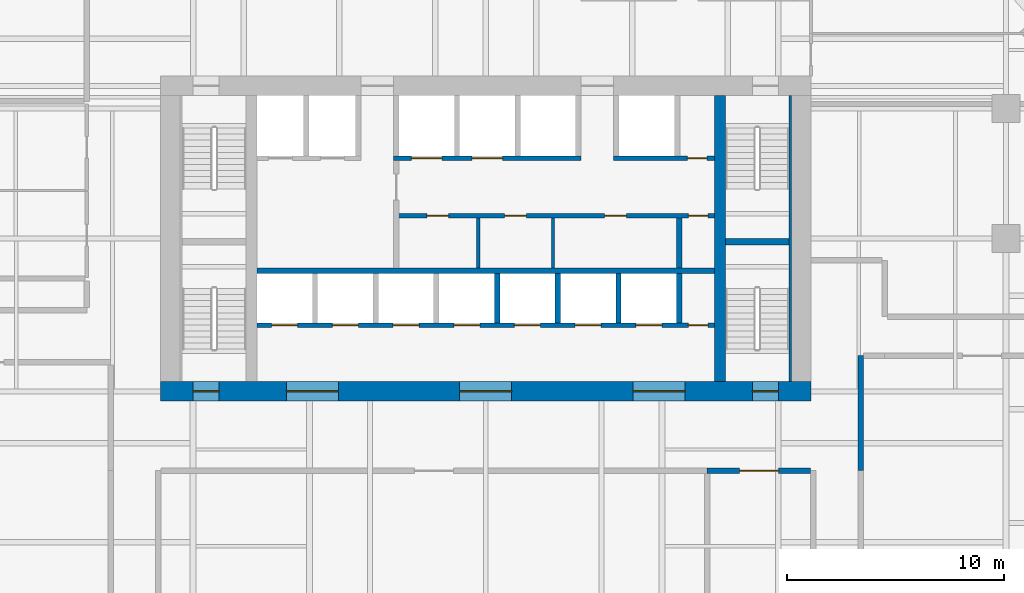
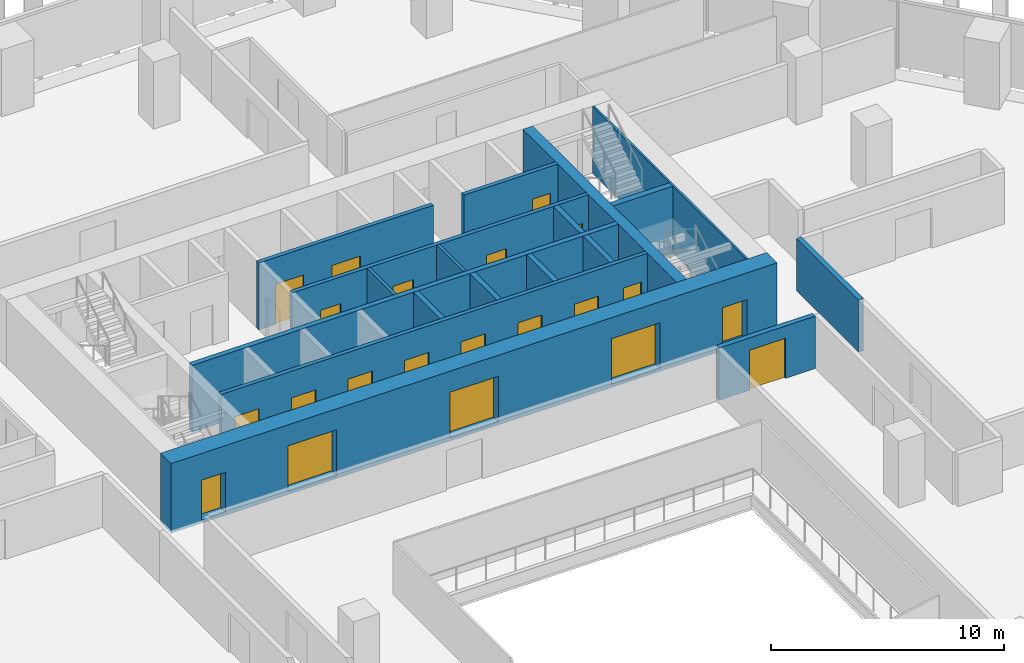
# One storey, part 15 of 24: 21 doors, 18 walls, 21 openings.
"""IFC4 building model written with IfcOpenShell, lengths in metres."""

from ifc_helpers import new_model, si_unit, direction, frame, frame_2d, origin, place, context, subcontext, project, spatial, rectangle, extrude, material, layer, layer_set, type_object, element, fill, save


model = new_model("IFC4")

# Units and contexts
model_context = context("Model", 3, precision=1e-05, world=origin(), true_north=direction((0.0, 1.0)))
body_context = subcontext(model_context, "Body", "Model", "MODEL_VIEW")
ifc_project = project(units=[si_unit("LENGTHUNIT", "METRE"), si_unit("AREAUNIT", "SQUARE_METRE"), si_unit("VOLUMEUNIT", "CUBIC_METRE"), si_unit("PLANEANGLEUNIT", "RADIAN"), si_unit("MASSUNIT", "GRAM", prefix="KILO")], contexts=[model_context])

# Site, building, storey
site_placement = place(None, origin())
site = spatial("IfcSite", under=ifc_project, at=site_placement, CompositionType="ELEMENT")
building_placement = place(site_placement, origin())
building = spatial("IfcBuilding", under=site, at=building_placement, Name="Isthmus Gate Tower", CompositionType="ELEMENT")
storey_placement = place(building_placement, frame((0.0, 0.0, 80.64990234375)))
storey = spatial("IfcBuildingStorey", under=building, at=storey_placement, Name="L18", CompositionType="ELEMENT", Elevation=80.64990234375)

# Wall, opening, door
ifc_material_1 = material(Name="Double-leaf acoustic stud wall, fire-rated", Category="gypsum")
ifc_layer_1 = layer(ifc_material_1, 0.25)
ifc_layer_set_1 = layer_set([ifc_layer_1], Name="ACOUSTIC WALL 250 60 MIN")
wall_type_1 = type_object("IfcWallType", Name="ACOUSTIC WALL 250 60 MIN", PredefinedType="PARTITIONING", material=ifc_layer_set_1)
wall_1_placement = place(storey_placement, frame((14.97509765625, -3.199951171875, 0.0), z_axis=(0.0, 0.0, 1.0), x_axis=(-1.0, 0.0, 0.0)))
wall_1 = element("IfcWall", 1, at=wall_1_placement, inside=storey, type_object=wall_type_1, Name="L18 Acoustic Wall 250 60 Min", PredefinedType="PARTITIONING", context=body_context, shape_type="SweptSolid", body=[
    extrude(rectangle(XDim=4.76220703125, YDim=0.25, at=frame_2d((2.381103515625, 0.0))), origin(), (0.0, 0.0, 1.0), 2.7412109375),
])
opening_1_placement = place(wall_1_placement, frame((1.468505859375, 0.0, 0.0)))
opening_1 = element("IfcOpeningElement", 2, at=opening_1_placement, cuts=wall_1, Name="Opening DT-T2A-15", PredefinedType="OPENING", context=body_context, shape_type="SweptSolid", body=[
    extrude(rectangle(XDim=1.800048828125, YDim=2.10009765625, at=frame_2d((0.89990234375, 1.050048828125))), frame((0.0, 0.135009765625, 0.0), z_axis=(0.0, -1.0, 0.0), x_axis=(1.0, 0.0, 0.0)), (0.0, 0.0, 1.0), 0.27001953125),
])
ifc_material_2 = material(Name="Solid core timber door leaf, fire-rated", Category="wood")
door_type_1 = type_object("IfcDoorType", Name="FIRE DOOR ACOUSTIC ROOM 1800 X 2100 60 MIN", OperationType="DOUBLE_DOOR_DOUBLE_SWING", PredefinedType="DOOR", material=ifc_material_2)
door_1_placement = place(opening_1_placement, origin())
door_1 = element("IfcDoor", 3, at=door_1_placement, inside=storey, type_object=door_type_1, Name="L18 room door", OperationType="DOUBLE_DOOR_DOUBLE_SWING", OverallHeight=2.10009765625, OverallWidth=1.800048828125, PredefinedType="DOOR", context=body_context, shape_type="SweptSolid", body=[
    extrude(rectangle(XDim=1.800048828125, YDim=2.10009765625, at=frame_2d((0.89990234375, 1.050048828125))), frame((0.0, 0.02490234375, 0.0), z_axis=(0.0, -1.0, 0.0), x_axis=(1.0, 0.0, 0.0)), (0.0, 0.0, 1.0), 0.050048828125),
])
fill(opening_1, door_1)

# Walls
wall_2_placement = place(storey_placement, frame((17.298095703125, 2.10205078125, 0.0), z_axis=(0.0, 0.0, 1.0), x_axis=(0.0, -1.0, 0.0)))
element("IfcWall", 4, at=wall_2_placement, inside=storey, type_object=wall_type_1, Name="L18 Acoustic Wall 250 60 Min", PredefinedType="PARTITIONING", context=body_context, shape_type="SweptSolid", body=[
    extrude(rectangle(XDim=5.303955078125, YDim=0.25, at=frame_2d((2.65185546875, 0.0))), origin(), (0.0, 0.0, 1.0), 2.7412109375),
])
ifc_material_3 = material(Name="Concrete f'c 70 MPa", Category="concrete")
ifc_layer_2 = layer(ifc_material_3, 0.5)
ifc_layer_set_2 = layer_set([ifc_layer_2], Name="RC CORE SPINE WALL 500 F'C 70")
wall_type_2 = type_object("IfcWallType", Name="RC CORE SPINE WALL 500 F'C 70", PredefinedType="SOLIDWALL", material=ifc_layer_set_2)
wall_3_placement = place(storey_placement, frame((10.800048828125, 0.89990234375, -0.14990234375), z_axis=(0.0, 0.0, 1.0), x_axis=(0.0, 1.0, 0.0)))
element("IfcWall", 5, at=wall_3_placement, inside=storey, type_object=wall_type_2, Name="str-corewall-L18-SPE", PredefinedType="SOLIDWALL", context=body_context, shape_type="SweptSolid", body=[
    extrude(rectangle(XDim=13.2001953125, YDim=0.5, at=frame_2d((6.60009765625, 0.0))), origin(), (0.0, 0.0, 1.0), 3.64990234375),
])

# Wall, openings, doors
ifc_material_4 = material(Name="Concrete f'c 70 MPa", Category="concrete")
ifc_layer_3 = layer(ifc_material_4, 0.89990234375)
ifc_layer_set_3 = layer_set([ifc_layer_3], Name="RC CORE WALL 900 F'C 70")
wall_type_3 = type_object("IfcWallType", Name="RC CORE WALL 900 F'C 70", PredefinedType="SOLIDWALL", material=ifc_layer_set_3)
wall_4_placement = place(storey_placement, frame((-15.0, 0.449951171875, -0.14990234375), z_axis=(0.0, 0.0, 1.0), x_axis=(1.0, 0.0, 0.0)))
wall_4 = element("IfcWall", 6, at=wall_4_placement, inside=storey, type_object=wall_type_3, Name="str-corewall-L18-S", PredefinedType="SOLIDWALL", context=body_context, shape_type="SweptSolid", body=[
    extrude(rectangle(XDim=30.0, YDim=0.89990234375, at=frame_2d((15.0, 0.0))), origin(), (0.0, 0.0, 1.0), 3.64990234375),
])
opening_2_placement = place(wall_4_placement, frame((5.800048828125, 0.0, 0.14990234375)))
opening_2 = element("IfcOpeningElement", 7, at=opening_2_placement, cuts=wall_4, Name="Opening DC-A03-08", PredefinedType="OPENING", context=body_context, shape_type="SweptSolid", body=[
    extrude(rectangle(XDim=2.39990234375, YDim=2.39990234375, at=frame_2d((1.199951171875, 1.199951171875))), frame((0.0, 0.4599609375, 0.0), z_axis=(0.0, -1.0, 0.0), x_axis=(1.0, 0.0, 0.0)), (0.0, 0.0, 1.0), 0.919921875),
])
opening_3_placement = place(wall_4_placement, frame((13.800048828125, 0.0, 0.14990234375)))
opening_3 = element("IfcOpeningElement", 8, at=opening_3_placement, cuts=wall_4, Name="Opening DC-A03-09", PredefinedType="OPENING", context=body_context, shape_type="SweptSolid", body=[
    extrude(rectangle(XDim=2.39990234375, YDim=2.39990234375, at=frame_2d((1.199951171875, 1.199951171875))), frame((0.0, 0.4599609375, 0.0), z_axis=(0.0, -1.0, 0.0), x_axis=(1.0, 0.0, 0.0)), (0.0, 0.0, 1.0), 0.919921875),
])
opening_4_placement = place(wall_4_placement, frame((21.800048828125, 0.0, 0.14990234375)))
opening_4 = element("IfcOpeningElement", 9, at=opening_4_placement, cuts=wall_4, Name="Opening DC-A03-10", PredefinedType="OPENING", context=body_context, shape_type="SweptSolid", body=[
    extrude(rectangle(XDim=2.39990234375, YDim=2.39990234375, at=frame_2d((1.199951171875, 1.199951171875))), frame((0.0, 0.4599609375, 0.0), z_axis=(0.0, -1.0, 0.0), x_axis=(1.0, 0.0, 0.0)), (0.0, 0.0, 1.0), 0.919921875),
])
opening_5_placement = place(wall_4_placement, frame((1.5, 0.0, 0.14990234375)))
opening_5 = element("IfcOpeningElement", 10, at=opening_5_placement, cuts=wall_4, Name="Opening DC-A03-15", PredefinedType="OPENING", context=body_context, shape_type="SweptSolid", body=[
    extrude(rectangle(XDim=1.199951171875, YDim=2.10009765625, at=frame_2d((0.60009765625, 1.050048828125))), frame((0.0, 0.4599609375, 0.0), z_axis=(0.0, -1.0, 0.0), x_axis=(1.0, 0.0, 0.0)), (0.0, 0.0, 1.0), 0.919921875),
])
opening_6_placement = place(wall_4_placement, frame((27.300048828125, 0.0, 0.14990234375)))
opening_6 = element("IfcOpeningElement", 11, at=opening_6_placement, cuts=wall_4, Name="Opening DC-A03-16", PredefinedType="OPENING", context=body_context, shape_type="SweptSolid", body=[
    extrude(rectangle(XDim=1.199951171875, YDim=2.10009765625, at=frame_2d((0.60009765625, 1.050048828125))), frame((0.0, 0.4599609375, 0.0), z_axis=(0.0, -1.0, 0.0), x_axis=(1.0, 0.0, 0.0)), (0.0, 0.0, 1.0), 0.919921875),
])
ifc_material_5 = material(Name="Laminated safety glass in steel frame, fire-rated", Category="steel")
door_type_2 = type_object("IfcDoorType", Name="LOBBY ENTRANCE FIRE DOOR 2400 X 2400 60 MIN", OperationType="DOUBLE_DOOR_DOUBLE_SWING", PredefinedType="DOOR", material=ifc_material_5)
door_2_placement = place(opening_2_placement, origin())
door_2 = element("IfcDoor", 12, at=door_2_placement, inside=storey, type_object=door_type_2, Name="Lobby Entrance PS-W", OperationType="DOUBLE_DOOR_DOUBLE_SWING", OverallHeight=2.39990234375, OverallWidth=2.39990234375, PredefinedType="DOOR", context=body_context, shape_type="SweptSolid", body=[
    extrude(rectangle(XDim=2.39990234375, YDim=2.39990234375, at=frame_2d((1.199951171875, 1.199951171875))), frame((0.0, 0.02490234375, 0.0), z_axis=(0.0, -1.0, 0.0), x_axis=(1.0, 0.0, 0.0)), (0.0, 0.0, 1.0), 0.050048828125),
])
fill(opening_2, door_2)
door_3_placement = place(opening_3_placement, origin())
door_3 = element("IfcDoor", 13, at=door_3_placement, inside=storey, type_object=door_type_2, Name="Lobby Entrance PS-C", OperationType="DOUBLE_DOOR_DOUBLE_SWING", OverallHeight=2.39990234375, OverallWidth=2.39990234375, PredefinedType="DOOR", context=body_context, shape_type="SweptSolid", body=[
    extrude(rectangle(XDim=2.39990234375, YDim=2.39990234375, at=frame_2d((1.199951171875, 1.199951171875))), frame((0.0, 0.02490234375, 0.0), z_axis=(0.0, -1.0, 0.0), x_axis=(1.0, 0.0, 0.0)), (0.0, 0.0, 1.0), 0.050048828125),
])
fill(opening_3, door_3)
door_4_placement = place(opening_4_placement, origin())
door_4 = element("IfcDoor", 14, at=door_4_placement, inside=storey, type_object=door_type_2, Name="Lobby Entrance PS-E", OperationType="DOUBLE_DOOR_DOUBLE_SWING", OverallHeight=2.39990234375, OverallWidth=2.39990234375, PredefinedType="DOOR", context=body_context, shape_type="SweptSolid", body=[
    extrude(rectangle(XDim=2.39990234375, YDim=2.39990234375, at=frame_2d((1.199951171875, 1.199951171875))), frame((0.0, 0.02490234375, 0.0), z_axis=(0.0, -1.0, 0.0), x_axis=(1.0, 0.0, 0.0)), (0.0, 0.0, 1.0), 0.050048828125),
])
fill(opening_4, door_4)
ifc_material_6 = material(Name="Steel door leaf, fire-rated", Category="steel")
door_type_3 = type_object("IfcDoorType", Name="STAIR FIRE DOOR 1200 X 2100 90 MIN", OperationType="SINGLE_SWING_LEFT", PredefinedType="DOOR", material=ifc_material_6)
door_5_placement = place(opening_5_placement, origin())
door_5 = element("IfcDoor", 15, at=door_5_placement, inside=storey, type_object=door_type_3, Name="Exit Stair 7 Door", OperationType="SINGLE_SWING_LEFT", OverallHeight=2.10009765625, OverallWidth=1.199951171875, PredefinedType="DOOR", context=body_context, shape_type="SweptSolid", body=[
    extrude(rectangle(XDim=1.199951171875, YDim=2.10009765625, at=frame_2d((0.60009765625, 1.050048828125))), frame((0.0, 0.02490234375, 0.0), z_axis=(0.0, -1.0, 0.0), x_axis=(1.0, 0.0, 0.0)), (0.0, 0.0, 1.0), 0.050048828125),
])
fill(opening_5, door_5)
door_6_placement = place(opening_6_placement, origin())
door_6 = element("IfcDoor", 16, at=door_6_placement, inside=storey, type_object=door_type_3, Name="Exit Stair 8 Door", OperationType="SINGLE_SWING_RIGHT", OverallHeight=2.10009765625, OverallWidth=1.199951171875, PredefinedType="DOOR", context=body_context, shape_type="SweptSolid", body=[
    extrude(rectangle(XDim=1.199951171875, YDim=2.10009765625, at=frame_2d((0.60009765625, 1.050048828125))), frame((0.0, 0.02490234375, 0.0), z_axis=(0.0, -1.0, 0.0), x_axis=(1.0, 0.0, 0.0)), (0.0, 0.0, 1.0), 0.050048828125),
])
fill(opening_6, door_6)

# Walls
ifc_material_7 = material(Name="Gypsum board on steel studs, fire-rated", Category="steel")
ifc_layer_4 = layer(ifc_material_7, 0.14990234375)
ifc_layer_set_4 = layer_set([ifc_layer_4], Name="ROOM PARTITION 150 60 MIN")
wall_type_4 = type_object("IfcWallType", Name="ROOM PARTITION 150 60 MIN", PredefinedType="PARTITIONING", material=ifc_layer_set_4)
for number, where, z_axis, x_axis, name in (
    (17, (-0.35009765625, 6.14990234375, 0.0), (0.0, 0.0, 1.0), (0.0, 1.0, 0.0), "L18 ROOM PARTITION 150 60 MIN"),
    (18, (3.10009765625, 6.14990234375, 0.0), (0.0, 0.0, 1.0), (0.0, 1.0, 0.0), "L18 ROOM PARTITION 150 60 MIN"),
):
    element("IfcWall", number, at=place(storey_placement, frame(where, z_axis=z_axis, x_axis=x_axis)), inside=storey, type_object=wall_type_4, Name=name, PredefinedType="PARTITIONING", context=body_context, shape_type="SweptSolid", body=[
        extrude(rectangle(XDim=2.300048828125, YDim=0.14990234375, at=frame_2d((1.14990234375, 0.0))), origin(), (0.0, 0.0, 1.0), 3.5),
    ])

# Wall, openings, doors
ifc_material_8 = material(Name="Fire-rated blockwork masonry, 15 MPa", Category="masonry")
ifc_layer_5 = layer(ifc_material_8, 0.199951171875)
ifc_layer_set_5 = layer_set([ifc_layer_5], Name="SHAFT FRONT WALL 200 120 MIN")
wall_type_5 = type_object("IfcWallType", Name="SHAFT FRONT WALL 200 120 MIN", PredefinedType="PARTITIONING", material=ifc_layer_set_5)
wall_5_placement = place(storey_placement, frame((-10.550048828125, 3.5, 0.0), z_axis=(0.0, 0.0, 1.0), x_axis=(1.0, 0.0, 0.0)))
wall_5 = element("IfcWall", 19, at=wall_5_placement, inside=storey, type_object=wall_type_5, Name="L18 SHAFT FRONT WALL 200 120 MIN", PredefinedType="PARTITIONING", context=body_context, shape_type="SweptSolid", body=[
    extrude(rectangle(XDim=21.10009765625, YDim=0.199951171875, at=frame_2d((10.550048828125, 0.0))), origin(), (0.0, 0.0, 1.0), 3.5),
])
opening_7_placement = place(wall_5_placement, frame((0.675048828125, 0.0, 0.0)))
opening_7 = element("IfcOpeningElement", 20, at=opening_7_placement, cuts=wall_5, Name="Opening LD-LA1", PredefinedType="OPENING", context=body_context, shape_type="SweptSolid", body=[
    extrude(rectangle(XDim=1.199951171875, YDim=2.10009765625, at=frame_2d((0.60009765625, 1.050048828125))), frame((0.0, 0.10986328125, 0.0), z_axis=(0.0, -1.0, 0.0), x_axis=(1.0, 0.0, 0.0)), (0.0, 0.0, 1.0), 0.219970703125),
])
opening_8_placement = place(wall_5_placement, frame((3.47509765625, 0.0, 0.0)))
opening_8 = element("IfcOpeningElement", 21, at=opening_8_placement, cuts=wall_5, Name="Opening LD-LA2", PredefinedType="OPENING", context=body_context, shape_type="SweptSolid", body=[
    extrude(rectangle(XDim=1.199951171875, YDim=2.10009765625, at=frame_2d((0.60009765625, 1.050048828125))), frame((0.0, 0.10986328125, 0.0), z_axis=(0.0, -1.0, 0.0), x_axis=(1.0, 0.0, 0.0)), (0.0, 0.0, 1.0), 0.219970703125),
])
opening_9_placement = place(wall_5_placement, frame((6.27490234375, 0.0, 0.0)))
opening_9 = element("IfcOpeningElement", 22, at=opening_9_placement, cuts=wall_5, Name="Opening LD-LA3", PredefinedType="OPENING", context=body_context, shape_type="SweptSolid", body=[
    extrude(rectangle(XDim=1.199951171875, YDim=2.10009765625, at=frame_2d((0.60009765625, 1.050048828125))), frame((0.0, 0.10986328125, 0.0), z_axis=(0.0, -1.0, 0.0), x_axis=(1.0, 0.0, 0.0)), (0.0, 0.0, 1.0), 0.219970703125),
])
opening_10_placement = place(wall_5_placement, frame((9.074951171875, 0.0, 0.0)))
opening_10 = element("IfcOpeningElement", 23, at=opening_10_placement, cuts=wall_5, Name="Opening LD-LA4", PredefinedType="OPENING", context=body_context, shape_type="SweptSolid", body=[
    extrude(rectangle(XDim=1.199951171875, YDim=2.10009765625, at=frame_2d((0.60009765625, 1.050048828125))), frame((0.0, 0.10986328125, 0.0), z_axis=(0.0, -1.0, 0.0), x_axis=(1.0, 0.0, 0.0)), (0.0, 0.0, 1.0), 0.219970703125),
])
opening_11_placement = place(wall_5_placement, frame((11.875, 0.0, 0.0)))
opening_11 = element("IfcOpeningElement", 24, at=opening_11_placement, cuts=wall_5, Name="Opening LD-LA5", PredefinedType="OPENING", context=body_context, shape_type="SweptSolid", body=[
    extrude(rectangle(XDim=1.199951171875, YDim=2.10009765625, at=frame_2d((0.60009765625, 1.050048828125))), frame((0.0, 0.10986328125, 0.0), z_axis=(0.0, -1.0, 0.0), x_axis=(1.0, 0.0, 0.0)), (0.0, 0.0, 1.0), 0.219970703125),
])
opening_12_placement = place(wall_5_placement, frame((14.675048828125, 0.0, 0.0)))
opening_12 = element("IfcOpeningElement", 25, at=opening_12_placement, cuts=wall_5, Name="Opening LD-LA6", PredefinedType="OPENING", context=body_context, shape_type="SweptSolid", body=[
    extrude(rectangle(XDim=1.199951171875, YDim=2.10009765625, at=frame_2d((0.60009765625, 1.050048828125))), frame((0.0, 0.10986328125, 0.0), z_axis=(0.0, -1.0, 0.0), x_axis=(1.0, 0.0, 0.0)), (0.0, 0.0, 1.0), 0.219970703125),
])
opening_13_placement = place(wall_5_placement, frame((17.47509765625, 0.0, 0.0)))
opening_13 = element("IfcOpeningElement", 26, at=opening_13_placement, cuts=wall_5, Name="Opening LD-LA7", PredefinedType="OPENING", context=body_context, shape_type="SweptSolid", body=[
    extrude(rectangle(XDim=1.199951171875, YDim=2.10009765625, at=frame_2d((0.60009765625, 1.050048828125))), frame((0.0, 0.10986328125, 0.0), z_axis=(0.0, -1.0, 0.0), x_axis=(1.0, 0.0, 0.0)), (0.0, 0.0, 1.0), 0.219970703125),
])
opening_14_placement = place(wall_5_placement, frame((19.89990234375, 0.0, 0.0)))
opening_14 = element("IfcOpeningElement", 27, at=opening_14_placement, cuts=wall_5, Name="Opening DC-A03-02", PredefinedType="OPENING", context=body_context, shape_type="SweptSolid", body=[
    extrude(rectangle(XDim=0.89990234375, YDim=2.10009765625, at=frame_2d((0.449951171875, 1.050048828125))), frame((0.0, 0.10986328125, 0.0), z_axis=(0.0, -1.0, 0.0), x_axis=(1.0, 0.0, 0.0)), (0.0, 0.0, 1.0), 0.219970703125),
])
ifc_material_9 = material(Name="Stainless steel sliding leaf", Category="steel")
door_type_4 = type_object("IfcDoorType", Name="LIFT LANDING FIRE DOOR 1200 X 2100 90 MIN", OperationType="DOUBLE_DOOR_SLIDING", PredefinedType="DOOR", material=ifc_material_9)
door_7_placement = place(opening_7_placement, origin())
door_7 = element("IfcDoor", 28, at=door_7_placement, inside=storey, type_object=door_type_4, Name="Lift Landing Door LA1", OperationType="DOUBLE_DOOR_SLIDING", OverallHeight=2.10009765625, OverallWidth=1.199951171875, PredefinedType="DOOR", context=body_context, shape_type="SweptSolid", body=[
    extrude(rectangle(XDim=1.199951171875, YDim=2.10009765625, at=frame_2d((0.60009765625, 1.050048828125))), frame((0.0, 0.02490234375, 0.0), z_axis=(0.0, -1.0, 0.0), x_axis=(1.0, 0.0, 0.0)), (0.0, 0.0, 1.0), 0.050048828125),
])
fill(opening_7, door_7)
door_8_placement = place(opening_8_placement, origin())
door_8 = element("IfcDoor", 29, at=door_8_placement, inside=storey, type_object=door_type_4, Name="Lift Landing Door LA2", OperationType="DOUBLE_DOOR_SLIDING", OverallHeight=2.10009765625, OverallWidth=1.199951171875, PredefinedType="DOOR", context=body_context, shape_type="SweptSolid", body=[
    extrude(rectangle(XDim=1.199951171875, YDim=2.10009765625, at=frame_2d((0.60009765625, 1.050048828125))), frame((0.0, 0.02490234375, 0.0), z_axis=(0.0, -1.0, 0.0), x_axis=(1.0, 0.0, 0.0)), (0.0, 0.0, 1.0), 0.050048828125),
])
fill(opening_8, door_8)
door_9_placement = place(opening_9_placement, origin())
door_9 = element("IfcDoor", 30, at=door_9_placement, inside=storey, type_object=door_type_4, Name="Lift Landing Door LA3", OperationType="DOUBLE_DOOR_SLIDING", OverallHeight=2.10009765625, OverallWidth=1.199951171875, PredefinedType="DOOR", context=body_context, shape_type="SweptSolid", body=[
    extrude(rectangle(XDim=1.199951171875, YDim=2.10009765625, at=frame_2d((0.60009765625, 1.050048828125))), frame((0.0, 0.02490234375, 0.0), z_axis=(0.0, -1.0, 0.0), x_axis=(1.0, 0.0, 0.0)), (0.0, 0.0, 1.0), 0.050048828125),
])
fill(opening_9, door_9)
door_10_placement = place(opening_10_placement, origin())
door_10 = element("IfcDoor", 31, at=door_10_placement, inside=storey, type_object=door_type_4, Name="Lift Landing Door LA4", OperationType="DOUBLE_DOOR_SLIDING", OverallHeight=2.10009765625, OverallWidth=1.199951171875, PredefinedType="DOOR", context=body_context, shape_type="SweptSolid", body=[
    extrude(rectangle(XDim=1.199951171875, YDim=2.10009765625, at=frame_2d((0.60009765625, 1.050048828125))), frame((0.0, 0.02490234375, 0.0), z_axis=(0.0, -1.0, 0.0), x_axis=(1.0, 0.0, 0.0)), (0.0, 0.0, 1.0), 0.050048828125),
])
fill(opening_10, door_10)
door_11_placement = place(opening_11_placement, origin())
door_11 = element("IfcDoor", 32, at=door_11_placement, inside=storey, type_object=door_type_4, Name="Lift Landing Door LA5", OperationType="DOUBLE_DOOR_SLIDING", OverallHeight=2.10009765625, OverallWidth=1.199951171875, PredefinedType="DOOR", context=body_context, shape_type="SweptSolid", body=[
    extrude(rectangle(XDim=1.199951171875, YDim=2.10009765625, at=frame_2d((0.60009765625, 1.050048828125))), frame((0.0, 0.02490234375, 0.0), z_axis=(0.0, -1.0, 0.0), x_axis=(1.0, 0.0, 0.0)), (0.0, 0.0, 1.0), 0.050048828125),
])
fill(opening_11, door_11)
door_12_placement = place(opening_12_placement, origin())
door_12 = element("IfcDoor", 33, at=door_12_placement, inside=storey, type_object=door_type_4, Name="Lift Landing Door LA6", OperationType="DOUBLE_DOOR_SLIDING", OverallHeight=2.10009765625, OverallWidth=1.199951171875, PredefinedType="DOOR", context=body_context, shape_type="SweptSolid", body=[
    extrude(rectangle(XDim=1.199951171875, YDim=2.10009765625, at=frame_2d((0.60009765625, 1.050048828125))), frame((0.0, 0.02490234375, 0.0), z_axis=(0.0, -1.0, 0.0), x_axis=(1.0, 0.0, 0.0)), (0.0, 0.0, 1.0), 0.050048828125),
])
fill(opening_12, door_12)
door_13_placement = place(opening_13_placement, origin())
door_13 = element("IfcDoor", 34, at=door_13_placement, inside=storey, type_object=door_type_4, Name="Lift Landing Door LA7", OperationType="DOUBLE_DOOR_SLIDING", OverallHeight=2.10009765625, OverallWidth=1.199951171875, PredefinedType="DOOR", context=body_context, shape_type="SweptSolid", body=[
    extrude(rectangle(XDim=1.199951171875, YDim=2.10009765625, at=frame_2d((0.60009765625, 1.050048828125))), frame((0.0, 0.02490234375, 0.0), z_axis=(0.0, -1.0, 0.0), x_axis=(1.0, 0.0, 0.0)), (0.0, 0.0, 1.0), 0.050048828125),
])
fill(opening_13, door_13)
ifc_material_10 = material(Name="Steel door leaf, fire-rated", Category="steel")
door_type_5 = type_object("IfcDoorType", Name="RISER FIRE DOOR 900 X 2100 90 MIN", OperationType="SINGLE_SWING_LEFT", PredefinedType="DOOR", material=ifc_material_10)
door_14_placement = place(opening_14_placement, origin())
door_14 = element("IfcDoor", 35, at=door_14_placement, inside=storey, type_object=door_type_5, Name="Riser Door", OperationType="SINGLE_SWING_RIGHT", OverallHeight=2.10009765625, OverallWidth=0.89990234375, PredefinedType="DOOR", context=body_context, shape_type="SweptSolid", body=[
    extrude(rectangle(XDim=0.89990234375, YDim=2.10009765625, at=frame_2d((0.449951171875, 1.050048828125))), frame((0.0, 0.02490234375, 0.0), z_axis=(0.0, -1.0, 0.0), x_axis=(1.0, 0.0, 0.0)), (0.0, 0.0, 1.0), 0.050048828125),
])
fill(opening_14, door_14)

wall_6_placement = place(storey_placement, frame((-4.125, 8.550048828125, 0.0), z_axis=(0.0, 0.0, 1.0), x_axis=(1.0, 0.0, 0.0)))
wall_6 = element("IfcWall", 36, at=wall_6_placement, inside=storey, type_object=wall_type_5, Name="L18 SHAFT FRONT WALL 200 120 MIN", PredefinedType="PARTITIONING", context=body_context, shape_type="SweptSolid", body=[
    extrude(rectangle(XDim=14.675048828125, YDim=0.199951171875, at=frame_2d((7.33740234375, 0.0))), origin(), (0.0, 0.0, 1.0), 3.5),
])
opening_15_placement = place(wall_6_placement, frame((1.41259765625, 0.0, 0.0)))
opening_15 = element("IfcOpeningElement", 37, at=opening_15_placement, cuts=wall_6, Name="Opening DC-A03-03", PredefinedType="OPENING", context=body_context, shape_type="SweptSolid", body=[
    extrude(rectangle(XDim=1.0, YDim=2.10009765625, at=frame_2d((0.5, 1.050048828125))), frame((0.0, 0.10986328125, 0.0), z_axis=(0.0, -1.0, 0.0), x_axis=(1.0, 0.0, 0.0)), (0.0, 0.0, 1.0), 0.219970703125),
])
opening_16_placement = place(wall_6_placement, frame((5.0, 0.0, 0.0)))
opening_16 = element("IfcOpeningElement", 38, at=opening_16_placement, cuts=wall_6, Name="Opening DC-A03-04", PredefinedType="OPENING", context=body_context, shape_type="SweptSolid", body=[
    extrude(rectangle(XDim=1.0, YDim=2.10009765625, at=frame_2d((0.5, 1.050048828125))), frame((0.0, 0.10986328125, 0.0), z_axis=(0.0, -1.0, 0.0), x_axis=(1.0, 0.0, 0.0)), (0.0, 0.0, 1.0), 0.219970703125),
])
opening_17_placement = place(wall_6_placement, frame((9.612548828125, 0.0, 0.0)))
opening_17 = element("IfcOpeningElement", 39, at=opening_17_placement, cuts=wall_6, Name="Opening DC-A03-05", PredefinedType="OPENING", context=body_context, shape_type="SweptSolid", body=[
    extrude(rectangle(XDim=1.0, YDim=2.10009765625, at=frame_2d((0.5, 1.050048828125))), frame((0.0, 0.10986328125, 0.0), z_axis=(0.0, -1.0, 0.0), x_axis=(1.0, 0.0, 0.0)), (0.0, 0.0, 1.0), 0.219970703125),
])
opening_18_placement = place(wall_6_placement, frame((13.47509765625, 0.0, 0.0)))
opening_18 = element("IfcOpeningElement", 40, at=opening_18_placement, cuts=wall_6, Name="Opening DC-A03-06", PredefinedType="OPENING", context=body_context, shape_type="SweptSolid", body=[
    extrude(rectangle(XDim=0.89990234375, YDim=2.10009765625, at=frame_2d((0.449951171875, 1.050048828125))), frame((0.0, 0.10986328125, 0.0), z_axis=(0.0, -1.0, 0.0), x_axis=(1.0, 0.0, 0.0)), (0.0, 0.0, 1.0), 0.219970703125),
])
ifc_material_11 = material(Name="Steel door leaf, fire-rated", Category="steel")
door_type_6 = type_object("IfcDoorType", Name="FIRE DOOR 1000 X 2100 60 MIN", OperationType="SINGLE_SWING_LEFT", PredefinedType="DOOR", material=ifc_material_11)
door_15_placement = place(opening_15_placement, origin())
door_15 = element("IfcDoor", 41, at=door_15_placement, inside=storey, type_object=door_type_6, Name="WC Men Door", OperationType="SINGLE_SWING_LEFT", OverallHeight=2.10009765625, OverallWidth=1.0, PredefinedType="DOOR", context=body_context, shape_type="SweptSolid", body=[
    extrude(rectangle(XDim=1.0, YDim=2.10009765625, at=frame_2d((0.5, 1.050048828125))), frame((0.0, 0.02490234375, 0.0), z_axis=(0.0, -1.0, 0.0), x_axis=(1.0, 0.0, 0.0)), (0.0, 0.0, 1.0), 0.050048828125),
])
fill(opening_15, door_15)
door_16_placement = place(opening_16_placement, origin())
door_16 = element("IfcDoor", 42, at=door_16_placement, inside=storey, type_object=door_type_6, Name="WC Women Door", OperationType="SINGLE_SWING_RIGHT", OverallHeight=2.10009765625, OverallWidth=1.0, PredefinedType="DOOR", context=body_context, shape_type="SweptSolid", body=[
    extrude(rectangle(XDim=1.0, YDim=2.10009765625, at=frame_2d((0.5, 1.050048828125))), frame((0.0, 0.02490234375, 0.0), z_axis=(0.0, -1.0, 0.0), x_axis=(1.0, 0.0, 0.0)), (0.0, 0.0, 1.0), 0.050048828125),
])
fill(opening_16, door_16)
door_17_placement = place(opening_17_placement, origin())
door_17 = element("IfcDoor", 43, at=door_17_placement, inside=storey, type_object=door_type_6, Name="Accessible WC Door", OperationType="SINGLE_SWING_LEFT", OverallHeight=2.10009765625, OverallWidth=1.0, PredefinedType="DOOR", context=body_context, shape_type="SweptSolid", body=[
    extrude(rectangle(XDim=1.0, YDim=2.10009765625, at=frame_2d((0.5, 1.050048828125))), frame((0.0, 0.02490234375, 0.0), z_axis=(0.0, -1.0, 0.0), x_axis=(1.0, 0.0, 0.0)), (0.0, 0.0, 1.0), 0.050048828125),
])
fill(opening_17, door_17)
door_18_placement = place(opening_18_placement, origin())
door_18 = element("IfcDoor", 44, at=door_18_placement, inside=storey, type_object=door_type_5, Name="Riser Door", OperationType="SINGLE_SWING_RIGHT", OverallHeight=2.10009765625, OverallWidth=0.89990234375, PredefinedType="DOOR", context=body_context, shape_type="SweptSolid", body=[
    extrude(rectangle(XDim=0.89990234375, YDim=2.10009765625, at=frame_2d((0.449951171875, 1.050048828125))), frame((0.0, 0.02490234375, 0.0), z_axis=(0.0, -1.0, 0.0), x_axis=(1.0, 0.0, 0.0)), (0.0, 0.0, 1.0), 0.050048828125),
])
fill(opening_18, door_18)

wall_7_placement = place(storey_placement, frame((-4.25, 11.199951171875, 0.0), z_axis=(0.0, 0.0, 1.0), x_axis=(1.0, 0.0, 0.0)))
wall_7 = element("IfcWall", 45, at=wall_7_placement, inside=storey, type_object=wall_type_5, Name="L18 SHAFT FRONT WALL 200 120 MIN", PredefinedType="PARTITIONING", context=body_context, shape_type="SweptSolid", body=[
    extrude(rectangle(XDim=8.64990234375, YDim=0.199951171875, at=frame_2d((4.324951171875, 0.0))), origin(), (0.0, 0.0, 1.0), 3.5),
])
opening_19_placement = place(wall_7_placement, frame((0.824951171875, 0.0, 0.0)))
opening_19 = element("IfcOpeningElement", 46, at=opening_19_placement, cuts=wall_7, Name="Opening LD-LV1", PredefinedType="OPENING", context=body_context, shape_type="SweptSolid", body=[
    extrude(rectangle(XDim=1.39990234375, YDim=2.10009765625, at=frame_2d((0.699951171875, 1.050048828125))), frame((0.0, 0.10986328125, 0.0), z_axis=(0.0, -1.0, 0.0), x_axis=(1.0, 0.0, 0.0)), (0.0, 0.0, 1.0), 0.219970703125),
])
opening_20_placement = place(wall_7_placement, frame((3.625, 0.0, 0.0)))
opening_20 = element("IfcOpeningElement", 47, at=opening_20_placement, cuts=wall_7, Name="Opening LD-LV2", PredefinedType="OPENING", context=body_context, shape_type="SweptSolid", body=[
    extrude(rectangle(XDim=1.39990234375, YDim=2.10009765625, at=frame_2d((0.699951171875, 1.050048828125))), frame((0.0, 0.10986328125, 0.0), z_axis=(0.0, -1.0, 0.0), x_axis=(1.0, 0.0, 0.0)), (0.0, 0.0, 1.0), 0.219970703125),
])
ifc_material_12 = material(Name="Stainless steel sliding leaf", Category="steel")
door_type_7 = type_object("IfcDoorType", Name="LIFT LANDING FIRE DOOR 1400 X 2100 90 MIN", OperationType="DOUBLE_DOOR_SLIDING", PredefinedType="DOOR", material=ifc_material_12)
door_19_placement = place(opening_19_placement, origin())
door_19 = element("IfcDoor", 48, at=door_19_placement, inside=storey, type_object=door_type_7, Name="Lift Landing Door LV1", OperationType="DOUBLE_DOOR_SLIDING", OverallHeight=2.10009765625, OverallWidth=1.39990234375, PredefinedType="DOOR", context=body_context, shape_type="SweptSolid", body=[
    extrude(rectangle(XDim=1.39990234375, YDim=2.10009765625, at=frame_2d((0.699951171875, 1.050048828125))), frame((0.0, 0.02490234375, 0.0), z_axis=(0.0, -1.0, 0.0), x_axis=(1.0, 0.0, 0.0)), (0.0, 0.0, 1.0), 0.050048828125),
])
fill(opening_19, door_19)
door_20_placement = place(opening_20_placement, origin())
door_20 = element("IfcDoor", 49, at=door_20_placement, inside=storey, type_object=door_type_7, Name="Lift Landing Door LV2", OperationType="DOUBLE_DOOR_SLIDING", OverallHeight=2.10009765625, OverallWidth=1.39990234375, PredefinedType="DOOR", context=body_context, shape_type="SweptSolid", body=[
    extrude(rectangle(XDim=1.39990234375, YDim=2.10009765625, at=frame_2d((0.699951171875, 1.050048828125))), frame((0.0, 0.02490234375, 0.0), z_axis=(0.0, -1.0, 0.0), x_axis=(1.0, 0.0, 0.0)), (0.0, 0.0, 1.0), 0.050048828125),
])
fill(opening_20, door_20)

# Wall, opening, door
wall_8_placement = place(storey_placement, frame((5.89990234375, 11.199951171875, 0.0), z_axis=(0.0, 0.0, 1.0), x_axis=(1.0, 0.0, 0.0)))
wall_8 = element("IfcWall", 50, at=wall_8_placement, inside=storey, type_object=wall_type_5, Name="L18 SHAFT FRONT WALL 200 120 MIN", PredefinedType="PARTITIONING", context=body_context, shape_type="SweptSolid", body=[
    extrude(rectangle(XDim=4.650146484375, YDim=0.199951171875, at=frame_2d((2.3251953125, 0.0))), origin(), (0.0, 0.0, 1.0), 3.5),
])
opening_21_placement = place(wall_8_placement, frame((3.39990234375, 0.0, 0.0)))
opening_21 = element("IfcOpeningElement", 51, at=opening_21_placement, cuts=wall_8, Name="Opening DC-A03-07", PredefinedType="OPENING", context=body_context, shape_type="SweptSolid", body=[
    extrude(rectangle(XDim=0.89990234375, YDim=2.10009765625, at=frame_2d((0.449951171875, 1.050048828125))), frame((0.0, 0.10986328125, 0.0), z_axis=(0.0, -1.0, 0.0), x_axis=(1.0, 0.0, 0.0)), (0.0, 0.0, 1.0), 0.219970703125),
])
door_21_placement = place(opening_21_placement, origin())
door_21 = element("IfcDoor", 52, at=door_21_placement, inside=storey, type_object=door_type_5, Name="Riser Door", OperationType="SINGLE_SWING_LEFT", OverallHeight=2.10009765625, OverallWidth=0.89990234375, PredefinedType="DOOR", context=body_context, shape_type="SweptSolid", body=[
    extrude(rectangle(XDim=0.89990234375, YDim=2.10009765625, at=frame_2d((0.449951171875, 1.050048828125))), frame((0.0, 0.02490234375, 0.0), z_axis=(0.0, -1.0, 0.0), x_axis=(1.0, 0.0, 0.0)), (0.0, 0.0, 1.0), 0.050048828125),
])
fill(opening_21, door_21)

# Walls
ifc_material_13 = material(Name="Fire-rated blockwork masonry, 15 MPa", Category="masonry")
ifc_layer_6 = layer(ifc_material_13, 0.25)
ifc_layer_set_6 = layer_set([ifc_layer_6], Name="SHAFT WALL 250 120 MIN")
wall_type_6 = type_object("IfcWallType", Name="SHAFT WALL 250 120 MIN", PredefinedType="PARTITIONING", material=ifc_layer_set_6)
wall_9_placement = place(storey_placement, frame((-10.550048828125, 6.02490234375, 0.0), z_axis=(0.0, 0.0, 1.0), x_axis=(1.0, 0.0, 0.0)))
element("IfcWall", 53, at=wall_9_placement, inside=storey, type_object=wall_type_6, Name="L18 SHAFT WALL 250 120 MIN", PredefinedType="PARTITIONING", context=body_context, shape_type="SweptSolid", body=[
    extrude(rectangle(XDim=21.10009765625, YDim=0.25, at=frame_2d((10.550048828125, 0.0))), origin(), (0.0, 0.0, 1.0), 3.5),
])
for number, where, z_axis, x_axis, name in (
    (54, (0.52490234375, 3.60009765625, 0.0), (0.0, 0.0, 1.0), (0.0, 1.0, 0.0), "L18 SHAFT WALL 250 120 MIN"),
    (55, (3.324951171875, 3.60009765625, 0.0), (0.0, 0.0, 1.0), (0.0, 1.0, 0.0), "L18 SHAFT WALL 250 120 MIN"),
    (56, (6.125, 3.60009765625, 0.0), (0.0, 0.0, 1.0), (0.0, 1.0, 0.0), "L18 SHAFT WALL 250 120 MIN"),
    (57, (8.925048828125, 3.60009765625, 0.0), (0.0, 0.0, 1.0), (0.0, 1.0, 0.0), "L18 SHAFT WALL 250 120 MIN"),
):
    element("IfcWall", number, at=place(storey_placement, frame(where, z_axis=z_axis, x_axis=x_axis)), inside=storey, type_object=wall_type_6, Name=name, PredefinedType="PARTITIONING", context=body_context, shape_type="SweptSolid", body=[
        extrude(rectangle(XDim=2.2998046875, YDim=0.25, at=frame_2d((1.14990234375, 0.0))), origin(), (0.0, 0.0, 1.0), 3.5),
    ])
wall_10_placement = place(storey_placement, frame((8.925048828125, 6.14990234375, 0.0), z_axis=(0.0, 0.0, 1.0), x_axis=(0.0, 1.0, 0.0)))
element("IfcWall", 58, at=wall_10_placement, inside=storey, type_object=wall_type_6, Name="L18 SHAFT WALL 250 120 MIN", PredefinedType="PARTITIONING", context=body_context, shape_type="SweptSolid", body=[
    extrude(rectangle(XDim=2.300048828125, YDim=0.25, at=frame_2d((1.14990234375, 0.0))), origin(), (0.0, 0.0, 1.0), 3.5),
])
ifc_material_14 = material(Name="Concrete f'c 40 MPa", Category="concrete")
ifc_layer_7 = layer(ifc_material_14, 0.10009765625)
ifc_layer_set_7 = layer_set([ifc_layer_7], Name="STAIR ENCLOSURE WALL 100 180 MIN")
wall_type_7 = type_object("IfcWallType", Name="STAIR ENCLOSURE WALL 100 180 MIN", PredefinedType="SOLIDWALL", material=ifc_layer_set_7)
wall_11_placement = place(storey_placement, frame((14.050048828125, 0.89990234375, 0.0), z_axis=(0.0, 0.0, 1.0), x_axis=(0.0, 1.0, 0.0)))
element("IfcWall", 59, at=wall_11_placement, inside=storey, type_object=wall_type_7, Name="L18 STAIR ENCLOSURE WALL 100 180 MIN", PredefinedType="SOLIDWALL", context=body_context, shape_type="SweptSolid", body=[
    extrude(rectangle(XDim=13.2001953125, YDim=0.10009765625, at=frame_2d((6.60009765625, 0.0))), origin(), (0.0, 0.0, 1.0), 3.5),
])
ifc_material_15 = material(Name="Concrete f'c 40 MPa", Category="concrete")
ifc_layer_8 = layer(ifc_material_15, 0.300048828125)
ifc_layer_set_8 = layer_set([ifc_layer_8], Name="STAIR ENCLOSURE WALL 300 180 MIN")
wall_type_8 = type_object("IfcWallType", Name="STAIR ENCLOSURE WALL 300 180 MIN", PredefinedType="SOLIDWALL", material=ifc_layer_set_8)
wall_12_placement = place(storey_placement, frame((11.050048828125, 7.35009765625, 0.0), z_axis=(0.0, 0.0, 1.0), x_axis=(1.0, 0.0, 0.0)))
element("IfcWall", 60, at=wall_12_placement, inside=storey, type_object=wall_type_8, Name="L18 STAIR ENCLOSURE WALL 300 180 MIN", PredefinedType="SOLIDWALL", context=body_context, shape_type="SweptSolid", body=[
    extrude(rectangle(XDim=2.949951171875, YDim=0.300048828125, at=frame_2d((1.47509765625, 0.0))), origin(), (0.0, 0.0, 1.0), 3.5),
])

save(model, "model.ifc")
